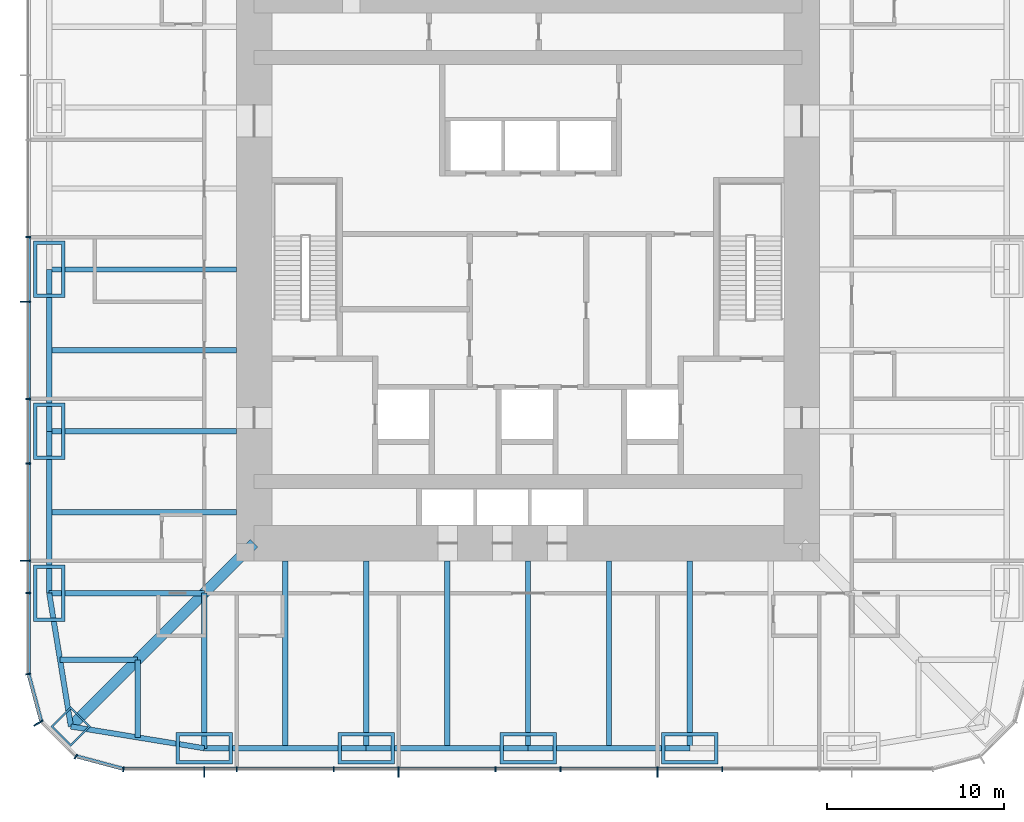
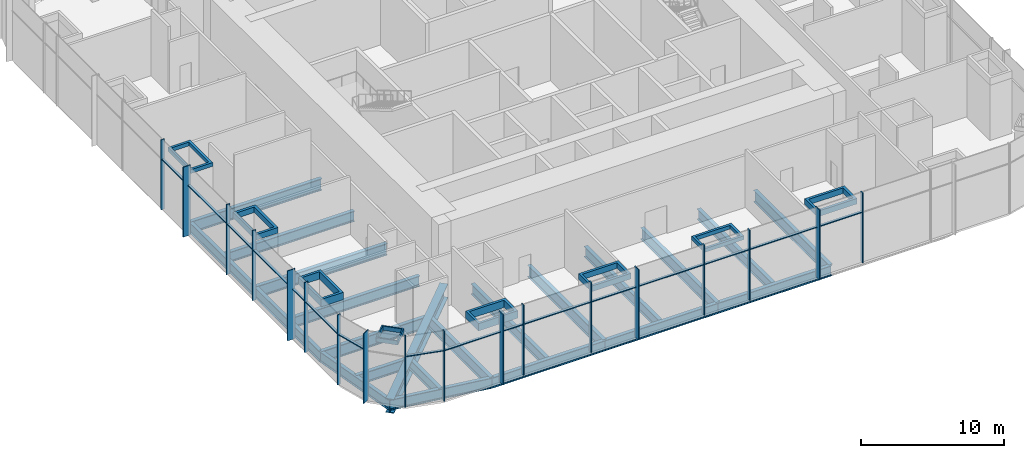
# One storey, part 2 of 12: 42 members, 22 beams, 3 elements without a shape of their own.
"""IFC4 building model written with IfcOpenShell, lengths in metres."""

from ifc_helpers import new_model, si_unit, direction, frame, origin, origin_2d, place, context, subcontext, project, spatial, rectangle, hollow_rectangle, i_section, extrude, material, material_profile, profile_set, type_object, element, aggregate, save


model = new_model("IFC4")

# Units and contexts
model_context = context("Model", 3, precision=1e-05, world=origin(), true_north=direction((0.0, 1.0)))
body_context = subcontext(model_context, "Body", "Model", "MODEL_VIEW")
ifc_project = project(units=[si_unit("LENGTHUNIT", "METRE"), si_unit("AREAUNIT", "SQUARE_METRE"), si_unit("VOLUMEUNIT", "CUBIC_METRE"), si_unit("PLANEANGLEUNIT", "RADIAN"), si_unit("MASSUNIT", "GRAM", prefix="KILO")], contexts=[model_context])

# Site, building, storey
site_placement = place(None, origin())
site = spatial("IfcSite", under=ifc_project, at=site_placement, CompositionType="ELEMENT")
building_placement = place(site_placement, origin())
building = spatial("IfcBuilding", under=site, at=building_placement, Name="Khuree Lantern Residences", CompositionType="ELEMENT")
storey_placement = place(building_placement, frame((0.0, 0.0, 186.0)))
storey = spatial("IfcBuildingStorey", under=building, at=storey_placement, Name="L47", CompositionType="ELEMENT", Elevation=186.0)

# Beams
ifc_material_1 = material(Name="Steel S355", Category="steel")
ifc_material_profile_1 = material_profile(ifc_material_1, i_section(OverallWidth=0.300048828125, OverallDepth=0.889892578125, WebThickness=0.01611328125, FlangeThickness=0.030029296875, FilletRadius=0.030029296875, at=origin_2d()), Name="HE 900 A")
ifc_profile_set_1 = profile_set([ifc_material_profile_1], Name="Steel S355")
beam_type_1 = type_object("IfcBeamType", Name="B-47 SECONDARY BEAM HE 900 A", PredefinedType="BEAM", material=ifc_profile_set_1)
for number, where, z_axis, x_axis, name in (
    (1, (4.580078125, -27.10009765625, -0.7451171875), (0.0, 1.0, 0.0), (-1.0, 0.0, 0.0), "Secondary beam S3"),
    (2, (-4.580078125, -27.10009765625, -0.7451171875), (0.0, 1.0, 0.0), (-1.0, 0.0, 0.0), "Secondary beam S4"),
    (3, (-13.739990234375, -27.10009765625, -0.7451171875), (0.0, 1.0, 0.0), (-1.0, 0.0, 0.0), "Secondary beam S5"),
):
    element("IfcBeam", number, at=place(storey_placement, frame(where, z_axis=z_axis, x_axis=x_axis)), inside=storey, type_object=beam_type_1, Name=name, PredefinedType="BEAM", context=body_context, shape_type="SweptSolid", body=[
        extrude(i_section(OverallWidth=0.300048828125, OverallDepth=0.889892578125, WebThickness=0.01611328125, FlangeThickness=0.030029296875, FilletRadius=0.030029296875, at=origin_2d()), origin(), (0.0, 0.0, 1.0), 10.60009765625),
    ])
for number, where, z_axis, x_axis, name in (
    (4, (-22.094970703125, -26.48486328125, -0.7451171875), (0.0, 1.0, 0.0), (-1.0, 0.0, 0.0), "Secondary beam S6"),
    (5, (-26.48486328125, -22.094970703125, -0.7451171875), (1.0, 0.0, 0.0), (0.0, 1.0, 0.0), "Secondary beam W1"),
):
    element("IfcBeam", number, at=place(storey_placement, frame(where, z_axis=z_axis, x_axis=x_axis)), inside=storey, type_object=beam_type_1, Name=name, PredefinedType="BEAM", context=body_context, shape_type="SweptSolid", body=[
        extrude(i_section(OverallWidth=0.300048828125, OverallDepth=0.889892578125, WebThickness=0.01611328125, FlangeThickness=0.030029296875, FilletRadius=0.030029296875, at=origin_2d()), origin(), (0.0, 0.0, 1.0), 4.389892578125),
    ])
for number, where, z_axis, x_axis, name in (
    (6, (-27.10009765625, -13.739990234375, -0.7451171875), (1.0, 0.0, 0.0), (0.0, 1.0, 0.0), "Secondary beam W2"),
    (7, (-27.10009765625, -4.580078125, -0.7451171875), (1.0, 0.0, 0.0), (0.0, 1.0, 0.0), "Secondary beam W3"),
):
    element("IfcBeam", number, at=place(storey_placement, frame(where, z_axis=z_axis, x_axis=x_axis)), inside=storey, type_object=beam_type_1, Name=name, PredefinedType="BEAM", context=body_context, shape_type="SweptSolid", body=[
        extrude(i_section(OverallWidth=0.300048828125, OverallDepth=0.889892578125, WebThickness=0.01611328125, FlangeThickness=0.030029296875, FilletRadius=0.030029296875, at=origin_2d()), origin(), (0.0, 0.0, 1.0), 10.60009765625),
    ])
ifc_material_profile_2 = material_profile(ifc_material_1, i_section(OverallWidth=0.300048828125, OverallDepth=0.889892578125, WebThickness=0.01611328125, FlangeThickness=0.030029296875, FilletRadius=0.030029296875, at=origin_2d()), Name="HE 900 A")
ifc_profile_set_2 = profile_set([ifc_material_profile_2], Name="Steel S355")
beam_type_2 = type_object("IfcBeamType", Name="E-47 SPANDREL BEAM HE 900 A", PredefinedType="SPANDREL", material=ifc_profile_set_2)
for number, where, z_axis, x_axis, name in (
    (8, (9.159912109375, -27.10009765625, -0.7451171875), (-1.0, 0.0, 0.0), (0.0, -1.0, 0.0), "Spandrel beam S3"),
    (9, (0.0, -27.10009765625, -0.7451171875), (-1.0, 0.0, 0.0), (0.0, -1.0, 0.0), "Spandrel beam S4"),
):
    element("IfcBeam", number, at=place(storey_placement, frame(where, z_axis=z_axis, x_axis=x_axis)), inside=storey, type_object=beam_type_2, Name=name, PredefinedType="SPANDREL", context=body_context, shape_type="SweptSolid", body=[
        extrude(i_section(OverallWidth=0.300048828125, OverallDepth=0.889892578125, WebThickness=0.01611328125, FlangeThickness=0.030029296875, FilletRadius=0.030029296875, at=origin_2d()), origin(), (0.0, 0.0, 1.0), 9.159912109375),
    ])
beam_1_placement = place(storey_placement, frame((-9.159912109375, -27.10009765625, -0.7451171875), z_axis=(-1.0, 0.0, 0.0), x_axis=(0.0, -1.0, 0.0)))
element("IfcBeam", 10, at=beam_1_placement, inside=storey, type_object=beam_type_2, Name="Spandrel beam S5", PredefinedType="SPANDREL", context=body_context, shape_type="SweptSolid", body=[
    extrude(i_section(OverallWidth=0.300048828125, OverallDepth=0.889892578125, WebThickness=0.01611328125, FlangeThickness=0.030029296875, FilletRadius=0.030029296875, at=origin_2d()), origin(), (0.0, 0.0, 1.0), 9.16015625),
])
for number, where, z_axis, x_axis, name in (
    (11, (-18.320068359375, -27.10009765625, -0.7451171875), (-0.986982656839, 0.160826723833, 0.0), (-0.160826723833, -0.986982656839, 0.0), "Spandrel beam S6"),
    (12, (-25.869873046875, -25.869873046875, -0.7451171875), (-0.160826723833, 0.986982656839, 0.0), (-0.986982656839, -0.160826723833, 0.0), "Spandrel beam W1"),
):
    element("IfcBeam", number, at=place(storey_placement, frame(where, z_axis=z_axis, x_axis=x_axis)), inside=storey, type_object=beam_type_2, Name=name, PredefinedType="SPANDREL", context=body_context, shape_type="SweptSolid", body=[
        extrude(i_section(OverallWidth=0.300048828125, OverallDepth=0.889892578125, WebThickness=0.01611328125, FlangeThickness=0.030029296875, FilletRadius=0.030029296875, at=origin_2d()), origin(), (0.0, 0.0, 1.0), 7.6494140625),
    ])
beam_2_placement = place(storey_placement, frame((-27.10009765625, -18.320068359375, -0.7451171875), z_axis=(0.0, 1.0, 0.0), x_axis=(-1.0, 0.0, 0.0)))
element("IfcBeam", 13, at=beam_2_placement, inside=storey, type_object=beam_type_2, Name="Spandrel beam W2", PredefinedType="SPANDREL", context=body_context, shape_type="SweptSolid", body=[
    extrude(i_section(OverallWidth=0.300048828125, OverallDepth=0.889892578125, WebThickness=0.01611328125, FlangeThickness=0.030029296875, FilletRadius=0.030029296875, at=origin_2d()), origin(), (0.0, 0.0, 1.0), 9.16015625),
])
beam_3_placement = place(storey_placement, frame((-27.10009765625, -9.159912109375, -0.7451171875), z_axis=(0.0, 1.0, 0.0), x_axis=(-1.0, 0.0, 0.0)))
element("IfcBeam", 14, at=beam_3_placement, inside=storey, type_object=beam_type_2, Name="Spandrel beam W3", PredefinedType="SPANDREL", context=body_context, shape_type="SweptSolid", body=[
    extrude(i_section(OverallWidth=0.300048828125, OverallDepth=0.889892578125, WebThickness=0.01611328125, FlangeThickness=0.030029296875, FilletRadius=0.030029296875, at=origin_2d()), origin(), (0.0, 0.0, 1.0), 9.159912109375),
])

# Curtain wall, members
ifc_material_2 = material(Name="Bronze anodised aluminium", Category="aluminium")
curtain_wall_type = type_object("IfcCurtainWallType", Name="CW-S SKY STOREY FULL-HEIGHT CURTAIN WALL", PredefinedType="USERDEFINED", material=ifc_material_2)
curtain_wall_1_placement = place(storey_placement, origin())
curtain_wall_1 = element("IfcCurtainWall", 15, at=curtain_wall_1_placement, inside=storey, type_object=curtain_wall_type, Name="L47 WEST FACE CURTAIN WALL", ObjectType="Full-height curtain wall", PredefinedType="USERDEFINED")
ifc_material_profile_3 = material_profile(ifc_material_2, rectangle(XDim=0.074951171875, YDim=0.60009765625, at=origin_2d()), Name="F3 75X600")
ifc_profile_set_3 = profile_set([ifc_material_profile_3], Name="Bronze anodised aluminium")
member_type_1 = type_object("IfcMemberType", Name="F3 BRONZE FIN MULLION SKY 75X600", PredefinedType="MULLION", material=ifc_profile_set_3)
member_1_placement = place(storey_placement, frame((-28.449951171875, -1.83203125, 0.0), z_axis=(0.0, 0.0, 1.0), x_axis=(0.0, -1.0, 0.0)))
member_1 = element("IfcMember", 16, at=member_1_placement, type_object=member_type_1, Name="L47 WEST FACE FIN MULLION 38", PredefinedType="MULLION", context=body_context, shape_type="SweptSolid", body=[
    extrude(rectangle(XDim=0.074951171875, YDim=0.60009765625, at=origin_2d()), origin(), (0.0, 0.0, 1.0), 6.0),
])
member_2_placement = place(storey_placement, frame((-28.449951171875, -16.488037109375, 0.0), z_axis=(0.0, 0.0, 1.0), x_axis=(0.0, -1.0, 0.0)))
member_2 = element("IfcMember", 17, at=member_2_placement, type_object=member_type_1, Name="L47 WEST FACE FIN MULLION 41", PredefinedType="MULLION", context=body_context, shape_type="SweptSolid", body=[
    extrude(rectangle(XDim=0.074951171875, YDim=0.60009765625, at=origin_2d()), origin(), (0.0, 0.0, 1.0), 6.0),
])

# Curtain wall, member
curtain_wall_2_placement = place(storey_placement, origin())
curtain_wall_2 = element("IfcCurtainWall", 18, at=curtain_wall_2_placement, inside=storey, type_object=curtain_wall_type, Name="L47 SOUTH-WEST CORNER CURTAIN WALL", ObjectType="Full-height curtain wall", PredefinedType="USERDEFINED")
member_3_placement = place(storey_placement, frame((-27.70654296875, -25.675048828125, 0.0), z_axis=(0.0, 0.0, 1.0), x_axis=(0.500000026995, -0.866025388199, 0.0)))
member_3 = element("IfcMember", 19, at=member_3_placement, type_object=member_type_1, Name="L47 SOUTH-WEST CORNER FIN MULLION 44", PredefinedType="MULLION", context=body_context, shape_type="SweptSolid", body=[
    extrude(rectangle(XDim=0.074951171875, YDim=0.60009765625, at=origin_2d()), origin(), (0.0, 0.0, 1.0), 6.0),
])

# Curtain wall, members
curtain_wall_3_placement = place(storey_placement, origin())
curtain_wall_3 = element("IfcCurtainWall", 20, at=curtain_wall_3_placement, inside=storey, type_object=curtain_wall_type, Name="L47 SOUTH FACE CURTAIN WALL", ObjectType="Full-height curtain wall", PredefinedType="USERDEFINED")
member_4_placement = place(storey_placement, frame((-18.320068359375, -28.449951171875, 0.0), z_axis=(0.0, 0.0, 1.0), x_axis=(1.0, 0.0, 0.0)))
member_4 = element("IfcMember", 21, at=member_4_placement, type_object=member_type_1, Name="L47 SOUTH FACE FIN MULLION 47", PredefinedType="MULLION", context=body_context, shape_type="SweptSolid", body=[
    extrude(rectangle(XDim=0.074951171875, YDim=0.60009765625, at=origin_2d()), origin(), (0.0, 0.0, 1.0), 6.0),
])
member_5_placement = place(storey_placement, frame((-7.327880859375, -28.449951171875, 0.0), z_axis=(0.0, 0.0, 1.0), x_axis=(1.0, 0.0, 0.0)))
member_5 = element("IfcMember", 22, at=member_5_placement, type_object=member_type_1, Name="L47 SOUTH FACE FIN MULLION 50", PredefinedType="MULLION", context=body_context, shape_type="SweptSolid", body=[
    extrude(rectangle(XDim=0.074951171875, YDim=0.60009765625, at=origin_2d()), origin(), (0.0, 0.0, 1.0), 6.0),
])
member_6_placement = place(storey_placement, frame((7.327880859375, -28.449951171875, 0.0), z_axis=(0.0, 0.0, 1.0), x_axis=(1.0, 0.0, 0.0)))
member_6 = element("IfcMember", 23, at=member_6_placement, type_object=member_type_1, Name="L47 SOUTH FACE FIN MULLION 53", PredefinedType="MULLION", context=body_context, shape_type="SweptSolid", body=[
    extrude(rectangle(XDim=0.074951171875, YDim=0.60009765625, at=origin_2d()), origin(), (0.0, 0.0, 1.0), 6.0),
])

# Beams
ifc_material_profile_4 = material_profile(ifc_material_1, i_section(OverallWidth=0.300048828125, OverallDepth=1.0, WebThickness=0.01904296875, FlangeThickness=0.035888671875, FilletRadius=0.030029296875, at=origin_2d()), Name="HE 1000 B")
ifc_profile_set_4 = profile_set([ifc_material_profile_4], Name="Steel S355")
beam_type_3 = type_object("IfcBeamType", Name="G-47 GIRDER HE 1000 B", PredefinedType="BEAM", material=ifc_profile_set_4)
for number, where, z_axis, x_axis, name in (
    (24, (9.159912109375, -27.10009765625, -0.800048828125), (0.0, 1.0, 0.0), (-1.0, 0.0, 0.0), "Girder S2"),
    (25, (0.0, -27.10009765625, -0.800048828125), (0.0, 1.0, 0.0), (-1.0, 0.0, 0.0), "Girder S3"),
    (26, (-9.159912109375, -27.10009765625, -0.800048828125), (0.0, 1.0, 0.0), (-1.0, 0.0, 0.0), "Girder S4"),
):
    element("IfcBeam", number, at=place(storey_placement, frame(where, z_axis=z_axis, x_axis=x_axis)), inside=storey, type_object=beam_type_3, Name=name, PredefinedType="BEAM", context=body_context, shape_type="SweptSolid", body=[
        extrude(i_section(OverallWidth=0.300048828125, OverallDepth=1.0, WebThickness=0.01904296875, FlangeThickness=0.035888671875, FilletRadius=0.030029296875, at=origin_2d()), origin(), (0.0, 0.0, 1.0), 10.60009765625),
    ])
for number, where, z_axis, x_axis, name in (
    (27, (-18.320068359375, -27.10009765625, -0.800048828125), (0.0, 1.0, 0.0), (-1.0, 0.0, 0.0), "Girder S5"),
    (28, (-27.10009765625, -18.320068359375, -0.800048828125), (1.0, 0.0, 0.0), (0.0, 1.0, 0.0), "Girder W1"),
):
    element("IfcBeam", number, at=place(storey_placement, frame(where, z_axis=z_axis, x_axis=x_axis)), inside=storey, type_object=beam_type_3, Name=name, PredefinedType="BEAM", context=body_context, shape_type="SweptSolid", body=[
        extrude(i_section(OverallWidth=0.300048828125, OverallDepth=1.0, WebThickness=0.01904296875, FlangeThickness=0.035888671875, FilletRadius=0.030029296875, at=origin_2d()), origin(), (0.0, 0.0, 1.0), 8.780029296875),
    ])
for number, where, z_axis, x_axis, name in (
    (29, (-27.10009765625, -9.159912109375, -0.800048828125), (1.0, 0.0, 0.0), (0.0, 1.0, 0.0), "Girder W2"),
    (30, (-27.10009765625, 0.0, -0.800048828125), (1.0, 0.0, 0.0), (0.0, 1.0, 0.0), "Girder W3"),
):
    element("IfcBeam", number, at=place(storey_placement, frame(where, z_axis=z_axis, x_axis=x_axis)), inside=storey, type_object=beam_type_3, Name=name, PredefinedType="BEAM", context=body_context, shape_type="SweptSolid", body=[
        extrude(i_section(OverallWidth=0.300048828125, OverallDepth=1.0, WebThickness=0.01904296875, FlangeThickness=0.035888671875, FilletRadius=0.030029296875, at=origin_2d()), origin(), (0.0, 0.0, 1.0), 10.60009765625),
    ])
ifc_material_profile_5 = material_profile(ifc_material_1, i_section(OverallWidth=0.60009765625, OverallDepth=1.199951171875, WebThickness=0.030029296875, FlangeThickness=0.06005859375, at=origin_2d()), Name="WELDED I 1200X600X30X60")
ifc_profile_set_5 = profile_set([ifc_material_profile_5], Name="Steel S355")
beam_type_4 = type_object("IfcBeamType", Name="GD-47 CORNER GIRDER WELDED I 1200X600X30X60", PredefinedType="BEAM", material=ifc_profile_set_5)
beam_4_placement = place(storey_placement, frame((-25.869873046875, -25.869873046875, -0.89990234375), z_axis=(0.707106781187, 0.707106781187, 0.0), x_axis=(-0.707106781187, 0.707106781187, 0.0)))
element("IfcBeam", 31, at=beam_4_placement, inside=storey, type_object=beam_type_4, Name="Corner girder SW", PredefinedType="BEAM", context=body_context, shape_type="SweptSolid", body=[
    extrude(i_section(OverallWidth=0.60009765625, OverallDepth=1.199951171875, WebThickness=0.030029296875, FlangeThickness=0.06005859375, at=origin_2d()), origin(), (0.0, 0.0, 1.0), 14.665283203125),
])

# Members
ifc_material_3 = material(Name="Steel S355 CFT welded box", Category="steel")
ifc_material_profile_6 = material_profile(ifc_material_3, hollow_rectangle(XDim=3.199951171875, YDim=1.800048828125, WallThickness=0.199951171875, at=origin_2d()), Name="WELDED BOX 3200X1800X200")
ifc_profile_set_6 = profile_set([ifc_material_profile_6], Name="Steel S355 CFT welded box")
member_type_2 = type_object("IfcMemberType", Name="MN MEGA COLUMN NODE WELDED BOX 3200X1800X200", PredefinedType="MEMBER", material=ifc_profile_set_6)
member_7_placement = place(storey_placement, frame((9.159912109375, -27.10009765625, 4.8701171875), z_axis=(0.0, 0.0, 1.0), x_axis=(1.0, 0.0, 0.0)))
element("IfcMember", 32, at=member_7_placement, inside=storey, type_object=member_type_2, Name="Mega column node S2", PredefinedType="MEMBER", context=body_context, shape_type="SweptSolid", body=[
    extrude(hollow_rectangle(XDim=3.199951171875, YDim=1.800048828125, WallThickness=0.199951171875, at=origin_2d()), origin(), (0.0, 0.0, 1.0), 0.47998046875),
])
member_8_placement = place(storey_placement, frame((0.0, -27.10009765625, 5.030029296875), z_axis=(0.0, 0.0, 1.0), x_axis=(1.0, 0.0, 0.0)))
element("IfcMember", 33, at=member_8_placement, inside=storey, type_object=member_type_2, Name="Mega column node S3", PredefinedType="MEMBER", context=body_context, shape_type="SweptSolid", body=[
    extrude(hollow_rectangle(XDim=3.199951171875, YDim=1.800048828125, WallThickness=0.199951171875, at=origin_2d()), origin(), (0.0, 0.0, 1.0), 0.320068359375),
])
member_9_placement = place(storey_placement, frame((-9.159912109375, -27.10009765625, 4.8701171875), z_axis=(0.0, 0.0, 1.0), x_axis=(1.0, 0.0, 0.0)))
element("IfcMember", 34, at=member_9_placement, inside=storey, type_object=member_type_2, Name="Mega column node S4", PredefinedType="MEMBER", context=body_context, shape_type="SweptSolid", body=[
    extrude(hollow_rectangle(XDim=3.199951171875, YDim=1.800048828125, WallThickness=0.199951171875, at=origin_2d()), origin(), (0.0, 0.0, 1.0), 0.47998046875),
])
for number, where, z_axis, x_axis, name in (
    (35, (-18.320068359375, -27.10009765625, 4.719970703125), (0.0, 0.0, 1.0), (1.0, 0.0, 0.0), "Mega column node S5"),
    (36, (-27.10009765625, -18.320068359375, 4.719970703125), (0.0, 0.0, 1.0), (0.0, 1.0, 0.0), "Mega column node W1"),
):
    element("IfcMember", number, at=place(storey_placement, frame(where, z_axis=z_axis, x_axis=x_axis)), inside=storey, type_object=member_type_2, Name=name, PredefinedType="MEMBER", context=body_context, shape_type="SweptSolid", body=[
        extrude(hollow_rectangle(XDim=3.199951171875, YDim=1.800048828125, WallThickness=0.199951171875, at=origin_2d()), origin(), (0.0, 0.0, 1.0), 0.630126953125),
    ])
member_10_placement = place(storey_placement, frame((-27.10009765625, -9.159912109375, 4.8701171875), z_axis=(0.0, 0.0, 1.0), x_axis=(0.0, 1.0, 0.0)))
element("IfcMember", 37, at=member_10_placement, inside=storey, type_object=member_type_2, Name="Mega column node W2", PredefinedType="MEMBER", context=body_context, shape_type="SweptSolid", body=[
    extrude(hollow_rectangle(XDim=3.199951171875, YDim=1.800048828125, WallThickness=0.199951171875, at=origin_2d()), origin(), (0.0, 0.0, 1.0), 0.47998046875),
])
member_11_placement = place(storey_placement, frame((-27.10009765625, 0.0, 5.030029296875), z_axis=(0.0, 0.0, 1.0), x_axis=(0.0, 1.0, 0.0)))
element("IfcMember", 38, at=member_11_placement, inside=storey, type_object=member_type_2, Name="Mega column node W3", PredefinedType="MEMBER", context=body_context, shape_type="SweptSolid", body=[
    extrude(hollow_rectangle(XDim=3.199951171875, YDim=1.800048828125, WallThickness=0.199951171875, at=origin_2d()), origin(), (0.0, 0.0, 1.0), 0.320068359375),
])
ifc_material_profile_7 = material_profile(ifc_material_3, hollow_rectangle(XDim=1.60009765625, YDim=1.60009765625, WallThickness=0.10009765625, at=origin_2d()), Name="WELDED BOX 1600X1600X100")
ifc_profile_set_7 = profile_set([ifc_material_profile_7], Name="Steel S355 CFT welded box")
member_type_3 = type_object("IfcMemberType", Name="MNA MEGA COLUMN NODE WELDED BOX 1600X1600X100", PredefinedType="MEMBER", material=ifc_profile_set_7)
member_12_placement = place(storey_placement, frame((-25.869873046875, -25.869873046875, 4.989990234375), z_axis=(0.0, 0.0, 1.0), x_axis=(0.707106781187, -0.707106781187, 0.0)))
element("IfcMember", 39, at=member_12_placement, inside=storey, type_object=member_type_3, Name="Mega column node SW", PredefinedType="MEMBER", context=body_context, shape_type="SweptSolid", body=[
    extrude(hollow_rectangle(XDim=1.60009765625, YDim=1.60009765625, WallThickness=0.10009765625, at=origin_2d()), origin(), (0.0, 0.0, 1.0), 0.360107421875),
])

# Member
ifc_material_profile_8 = material_profile(ifc_material_2, rectangle(XDim=0.074951171875, YDim=0.280029296875, at=origin_2d()), Name="M3 75X280")
ifc_profile_set_8 = profile_set([ifc_material_profile_8], Name="Bronze anodised aluminium")
member_type_4 = type_object("IfcMemberType", Name="MULLION M3 SKY 75X280", PredefinedType="MULLION", material=ifc_profile_set_8)
member_13_placement = place(storey_placement, frame((-28.2900390625, 1.83203125, 0.0), z_axis=(0.0, 0.0, 1.0), x_axis=(0.0, -1.0, 0.0)))
member_13 = element("IfcMember", 40, at=member_13_placement, type_object=member_type_4, Name="L47 WEST FACE MULLION 37", PredefinedType="MULLION", context=body_context, shape_type="SweptSolid", body=[
    extrude(rectangle(XDim=0.074951171875, YDim=0.280029296875, at=origin_2d()), origin(), (0.0, 0.0, 1.0), 6.0),
])

member_14_placement = place(storey_placement, frame((-28.2900390625, -7.327880859375, 0.0), z_axis=(0.0, 0.0, 1.0), x_axis=(0.0, -1.0, 0.0)))
member_14 = element("IfcMember", 41, at=member_14_placement, type_object=member_type_4, Name="L47 WEST FACE MULLION 39", PredefinedType="MULLION", context=body_context, shape_type="SweptSolid", body=[
    extrude(rectangle(XDim=0.074951171875, YDim=0.280029296875, at=origin_2d()), origin(), (0.0, 0.0, 1.0), 6.0),
])

member_15_placement = place(storey_placement, frame((-28.2900390625, -10.991943359375, 0.0), z_axis=(0.0, 0.0, 1.0), x_axis=(0.0, -1.0, 0.0)))
member_15 = element("IfcMember", 42, at=member_15_placement, type_object=member_type_4, Name="L47 WEST FACE MULLION 40", PredefinedType="MULLION", context=body_context, shape_type="SweptSolid", body=[
    extrude(rectangle(XDim=0.074951171875, YDim=0.280029296875, at=origin_2d()), origin(), (0.0, 0.0, 1.0), 6.0),
])

member_16_placement = place(storey_placement, frame((-28.2900390625, -18.320068359375, 0.0), z_axis=(0.0, 0.0, 1.0), x_axis=(0.0, -1.0, 0.0)))
member_16 = element("IfcMember", 43, at=member_16_placement, type_object=member_type_4, Name="L47 WEST FACE MULLION 42", PredefinedType="MULLION", context=body_context, shape_type="SweptSolid", body=[
    extrude(rectangle(XDim=0.074951171875, YDim=0.280029296875, at=origin_2d()), origin(), (0.0, 0.0, 1.0), 6.0),
])

member_17_placement = place(storey_placement, frame((-28.29150390625, -22.89892578125, 0.0), z_axis=(0.0, 0.0, 1.0), x_axis=(0.130526223125, -0.991444857305, 0.0)))
member_17 = element("IfcMember", 44, at=member_17_placement, type_object=member_type_4, Name="L47 SOUTH-WEST CORNER MULLION 43", PredefinedType="MULLION", context=body_context, shape_type="SweptSolid", body=[
    extrude(rectangle(XDim=0.074951171875, YDim=0.280029296875, at=origin_2d()), origin(), (0.0, 0.0, 1.0), 6.0),
])

member_18_placement = place(storey_placement, frame((-25.594970703125, -27.56787109375, 0.0), z_axis=(0.0, 0.0, 1.0), x_axis=(0.866025388199, -0.500000026995, 0.0)))
member_18 = element("IfcMember", 45, at=member_18_placement, type_object=member_type_4, Name="L47 SOUTH-WEST CORNER MULLION 45", PredefinedType="MULLION", context=body_context, shape_type="SweptSolid", body=[
    extrude(rectangle(XDim=0.074951171875, YDim=0.280029296875, at=origin_2d()), origin(), (0.0, 0.0, 1.0), 6.0),
])

member_19_placement = place(storey_placement, frame((-22.89892578125, -28.29150390625, 0.0), z_axis=(0.0, 0.0, 1.0), x_axis=(0.991444857305, -0.130526223125, 0.0)))
member_19 = element("IfcMember", 46, at=member_19_placement, type_object=member_type_4, Name="L47 SOUTH FACE MULLION 46", PredefinedType="MULLION", context=body_context, shape_type="SweptSolid", body=[
    extrude(rectangle(XDim=0.074951171875, YDim=0.280029296875, at=origin_2d()), origin(), (0.0, 0.0, 1.0), 6.0),
])

member_20_placement = place(storey_placement, frame((-16.488037109375, -28.2900390625, 0.0), z_axis=(0.0, 0.0, 1.0), x_axis=(1.0, 0.0, 0.0)))
member_20 = element("IfcMember", 47, at=member_20_placement, type_object=member_type_4, Name="L47 SOUTH FACE MULLION 48", PredefinedType="MULLION", context=body_context, shape_type="SweptSolid", body=[
    extrude(rectangle(XDim=0.074951171875, YDim=0.280029296875, at=origin_2d()), origin(), (0.0, 0.0, 1.0), 6.0),
])

member_21_placement = place(storey_placement, frame((-10.991943359375, -28.2900390625, 0.0), z_axis=(0.0, 0.0, 1.0), x_axis=(1.0, 0.0, 0.0)))
member_21 = element("IfcMember", 48, at=member_21_placement, type_object=member_type_4, Name="L47 SOUTH FACE MULLION 49", PredefinedType="MULLION", context=body_context, shape_type="SweptSolid", body=[
    extrude(rectangle(XDim=0.074951171875, YDim=0.280029296875, at=origin_2d()), origin(), (0.0, 0.0, 1.0), 6.0),
])

member_22_placement = place(storey_placement, frame((-1.83203125, -28.2900390625, 0.0), z_axis=(0.0, 0.0, 1.0), x_axis=(1.0, 0.0, 0.0)))
member_22 = element("IfcMember", 49, at=member_22_placement, type_object=member_type_4, Name="L47 SOUTH FACE MULLION 51", PredefinedType="MULLION", context=body_context, shape_type="SweptSolid", body=[
    extrude(rectangle(XDim=0.074951171875, YDim=0.280029296875, at=origin_2d()), origin(), (0.0, 0.0, 1.0), 6.0),
])

member_23_placement = place(storey_placement, frame((1.83203125, -28.2900390625, 0.0), z_axis=(0.0, 0.0, 1.0), x_axis=(1.0, 0.0, 0.0)))
member_23 = element("IfcMember", 50, at=member_23_placement, type_object=member_type_4, Name="L47 SOUTH FACE MULLION 52", PredefinedType="MULLION", context=body_context, shape_type="SweptSolid", body=[
    extrude(rectangle(XDim=0.074951171875, YDim=0.280029296875, at=origin_2d()), origin(), (0.0, 0.0, 1.0), 6.0),
])

member_24_placement = place(storey_placement, frame((10.991943359375, -28.2900390625, 0.0), z_axis=(0.0, 0.0, 1.0), x_axis=(1.0, 0.0, 0.0)))
member_24 = element("IfcMember", 51, at=member_24_placement, type_object=member_type_4, Name="L47 SOUTH FACE MULLION 54", PredefinedType="MULLION", context=body_context, shape_type="SweptSolid", body=[
    extrude(rectangle(XDim=0.074951171875, YDim=0.280029296875, at=origin_2d()), origin(), (0.0, 0.0, 1.0), 6.0),
])

ifc_material_profile_9 = material_profile(ifc_material_2, rectangle(XDim=0.199951171875, YDim=0.074951171875, at=origin_2d()), Name="T3 200X75")
ifc_profile_set_9 = profile_set([ifc_material_profile_9], Name="Bronze anodised aluminium")
member_type_5 = type_object("IfcMemberType", Name="TRANSOM T3 SKY 200X75", PredefinedType="USERDEFINED", material=ifc_profile_set_9)
member_25_placement = place(storey_placement, frame((-28.27001953125, 1.79443359375, 4.300048828125), z_axis=(0.0, -1.0, 0.0), x_axis=(1.0, 0.0, 0.0)))
member_25 = element("IfcMember", 52, at=member_25_placement, type_object=member_type_5, Name="L47 WEST FACE TRANSOM 37.1", ObjectType="Transom", PredefinedType="USERDEFINED", context=body_context, shape_type="SweptSolid", body=[
    extrude(rectangle(XDim=0.199951171875, YDim=0.074951171875, at=origin_2d()), origin(), (0.0, 0.0, 1.0), 3.5888671875),
])

member_26_placement = place(storey_placement, frame((-28.27001953125, -1.869384765625, 4.300048828125), z_axis=(0.0, -1.0, 0.0), x_axis=(1.0, 0.0, 0.0)))
member_26 = element("IfcMember", 53, at=member_26_placement, type_object=member_type_5, Name="L47 WEST FACE TRANSOM 38.1", ObjectType="Transom", PredefinedType="USERDEFINED", context=body_context, shape_type="SweptSolid", body=[
    extrude(rectangle(XDim=0.199951171875, YDim=0.074951171875, at=origin_2d()), origin(), (0.0, 0.0, 1.0), 5.421142578125),
])

member_27_placement = place(storey_placement, frame((-28.27001953125, -7.365478515625, 4.300048828125), z_axis=(0.0, -1.0, 0.0), x_axis=(1.0, 0.0, 0.0)))
member_27 = element("IfcMember", 54, at=member_27_placement, type_object=member_type_5, Name="L47 WEST FACE TRANSOM 39.1", ObjectType="Transom", PredefinedType="USERDEFINED", context=body_context, shape_type="SweptSolid", body=[
    extrude(rectangle(XDim=0.199951171875, YDim=0.074951171875, at=origin_2d()), origin(), (0.0, 0.0, 1.0), 3.589111328125),
])

member_28_placement = place(storey_placement, frame((-28.27001953125, -11.029541015625, 4.300048828125), z_axis=(0.0, -1.0, 0.0), x_axis=(1.0, 0.0, 0.0)))
member_28 = element("IfcMember", 55, at=member_28_placement, type_object=member_type_5, Name="L47 WEST FACE TRANSOM 40.1", ObjectType="Transom", PredefinedType="USERDEFINED", context=body_context, shape_type="SweptSolid", body=[
    extrude(rectangle(XDim=0.199951171875, YDim=0.074951171875, at=origin_2d()), origin(), (0.0, 0.0, 1.0), 5.4208984375),
])

member_29_placement = place(storey_placement, frame((-28.27001953125, -16.525390625, 4.300048828125), z_axis=(0.0, -1.0, 0.0), x_axis=(1.0, 0.0, 0.0)))
member_29 = element("IfcMember", 56, at=member_29_placement, type_object=member_type_5, Name="L47 WEST FACE TRANSOM 41.1", ObjectType="Transom", PredefinedType="USERDEFINED", context=body_context, shape_type="SweptSolid", body=[
    extrude(rectangle(XDim=0.199951171875, YDim=0.074951171875, at=origin_2d()), origin(), (0.0, 0.0, 1.0), 1.757080078125),
])

member_30_placement = place(storey_placement, frame((-28.27001953125, -18.357421875, 4.300048828125), z_axis=(0.0, -1.0, 0.0), x_axis=(1.0, 0.0, 0.0)))
member_30 = element("IfcMember", 57, at=member_30_placement, type_object=member_type_5, Name="L47 WEST FACE TRANSOM 42.1", ObjectType="Transom", PredefinedType="USERDEFINED", context=body_context, shape_type="SweptSolid", body=[
    extrude(rectangle(XDim=0.199951171875, YDim=0.074951171875, at=origin_2d()), origin(), (0.0, 0.0, 1.0), 4.487548828125),
])

aggregate(curtain_wall_1, [member_13, member_1, member_14, member_15, member_2, member_16, member_25, member_26, member_27, member_28, member_29, member_30])

member_31_placement = place(storey_placement, frame((-28.2568359375, -22.9453125, 4.300048828125), z_axis=(0.258830664379, -0.965922712839, 0.0), x_axis=(0.965922712839, 0.258830664379, 0.0)))
member_31 = element("IfcMember", 58, at=member_31_placement, type_object=member_type_5, Name="L47 SOUTH-WEST CORNER TRANSOM 43.1", ObjectType="Transom", PredefinedType="USERDEFINED", context=body_context, shape_type="SweptSolid", body=[
    extrude(rectangle(XDim=0.199951171875, YDim=0.074951171875, at=origin_2d()), origin(), (0.0, 0.0, 1.0), 2.66650390625),
])

member_32_placement = place(storey_placement, frame((-25.52099609375, -27.566650390625, 4.300048828125), z_axis=(0.965922712839, -0.258830664379, 0.0), x_axis=(0.258830664379, 0.965922712839, 0.0)))
member_32 = element("IfcMember", 59, at=member_32_placement, type_object=member_type_5, Name="L47 SOUTH-WEST CORNER TRANSOM 45.1", ObjectType="Transom", PredefinedType="USERDEFINED", context=body_context, shape_type="SweptSolid", body=[
    extrude(rectangle(XDim=0.199951171875, YDim=0.074951171875, at=origin_2d()), origin(), (0.0, 0.0, 1.0), 2.66650390625),
])

aggregate(curtain_wall_2, [member_17, member_3, member_18, member_31, member_32])

member_33_placement = place(storey_placement, frame((-22.844970703125, -28.27001953125, 4.300048828125), z_axis=(1.0, 0.0, 0.0), x_axis=(0.0, 1.0, 0.0)))
member_33 = element("IfcMember", 60, at=member_33_placement, type_object=member_type_5, Name="L47 SOUTH FACE TRANSOM 46.1", ObjectType="Transom", PredefinedType="USERDEFINED", context=body_context, shape_type="SweptSolid", body=[
    extrude(rectangle(XDim=0.199951171875, YDim=0.074951171875, at=origin_2d()), origin(), (0.0, 0.0, 1.0), 4.487548828125),
])

member_34_placement = place(storey_placement, frame((-18.282470703125, -28.27001953125, 4.300048828125), z_axis=(1.0, 0.0, 0.0), x_axis=(0.0, 1.0, 0.0)))
member_34 = element("IfcMember", 61, at=member_34_placement, type_object=member_type_5, Name="L47 SOUTH FACE TRANSOM 47.1", ObjectType="Transom", PredefinedType="USERDEFINED", context=body_context, shape_type="SweptSolid", body=[
    extrude(rectangle(XDim=0.199951171875, YDim=0.074951171875, at=origin_2d()), origin(), (0.0, 0.0, 1.0), 1.757080078125),
])

member_35_placement = place(storey_placement, frame((-16.450439453125, -28.27001953125, 4.300048828125), z_axis=(1.0, 0.0, 0.0), x_axis=(0.0, 1.0, 0.0)))
member_35 = element("IfcMember", 62, at=member_35_placement, type_object=member_type_5, Name="L47 SOUTH FACE TRANSOM 48.1", ObjectType="Transom", PredefinedType="USERDEFINED", context=body_context, shape_type="SweptSolid", body=[
    extrude(rectangle(XDim=0.199951171875, YDim=0.074951171875, at=origin_2d()), origin(), (0.0, 0.0, 1.0), 5.4208984375),
])

member_36_placement = place(storey_placement, frame((-10.95458984375, -28.27001953125, 4.300048828125), z_axis=(1.0, 0.0, 0.0), x_axis=(0.0, 1.0, 0.0)))
member_36 = element("IfcMember", 63, at=member_36_placement, type_object=member_type_5, Name="L47 SOUTH FACE TRANSOM 49.1", ObjectType="Transom", PredefinedType="USERDEFINED", context=body_context, shape_type="SweptSolid", body=[
    extrude(rectangle(XDim=0.199951171875, YDim=0.074951171875, at=origin_2d()), origin(), (0.0, 0.0, 1.0), 3.589111328125),
])

member_37_placement = place(storey_placement, frame((-7.29052734375, -28.27001953125, 4.300048828125), z_axis=(1.0, 0.0, 0.0), x_axis=(0.0, 1.0, 0.0)))
member_37 = element("IfcMember", 64, at=member_37_placement, type_object=member_type_5, Name="L47 SOUTH FACE TRANSOM 50.1", ObjectType="Transom", PredefinedType="USERDEFINED", context=body_context, shape_type="SweptSolid", body=[
    extrude(rectangle(XDim=0.199951171875, YDim=0.074951171875, at=origin_2d()), origin(), (0.0, 0.0, 1.0), 5.421142578125),
])

member_38_placement = place(storey_placement, frame((-1.79443359375, -28.27001953125, 4.300048828125), z_axis=(1.0, 0.0, 0.0), x_axis=(0.0, 1.0, 0.0)))
member_38 = element("IfcMember", 65, at=member_38_placement, type_object=member_type_5, Name="L47 SOUTH FACE TRANSOM 51.1", ObjectType="Transom", PredefinedType="USERDEFINED", context=body_context, shape_type="SweptSolid", body=[
    extrude(rectangle(XDim=0.199951171875, YDim=0.074951171875, at=origin_2d()), origin(), (0.0, 0.0, 1.0), 3.5888671875),
])

member_39_placement = place(storey_placement, frame((1.869384765625, -28.27001953125, 4.300048828125), z_axis=(1.0, 0.0, 0.0), x_axis=(0.0, 1.0, 0.0)))
member_39 = element("IfcMember", 66, at=member_39_placement, type_object=member_type_5, Name="L47 SOUTH FACE TRANSOM 52.1", ObjectType="Transom", PredefinedType="USERDEFINED", context=body_context, shape_type="SweptSolid", body=[
    extrude(rectangle(XDim=0.199951171875, YDim=0.074951171875, at=origin_2d()), origin(), (0.0, 0.0, 1.0), 5.421142578125),
])

member_40_placement = place(storey_placement, frame((7.365478515625, -28.27001953125, 4.300048828125), z_axis=(1.0, 0.0, 0.0), x_axis=(0.0, 1.0, 0.0)))
member_40 = element("IfcMember", 67, at=member_40_placement, type_object=member_type_5, Name="L47 SOUTH FACE TRANSOM 53.1", ObjectType="Transom", PredefinedType="USERDEFINED", context=body_context, shape_type="SweptSolid", body=[
    extrude(rectangle(XDim=0.199951171875, YDim=0.074951171875, at=origin_2d()), origin(), (0.0, 0.0, 1.0), 3.589111328125),
])

aggregate(curtain_wall_3, [member_19, member_4, member_20, member_21, member_5, member_22, member_23, member_6, member_24, member_33, member_34, member_35, member_36, member_37, member_38, member_39, member_40])

save(model, "model.ifc")
